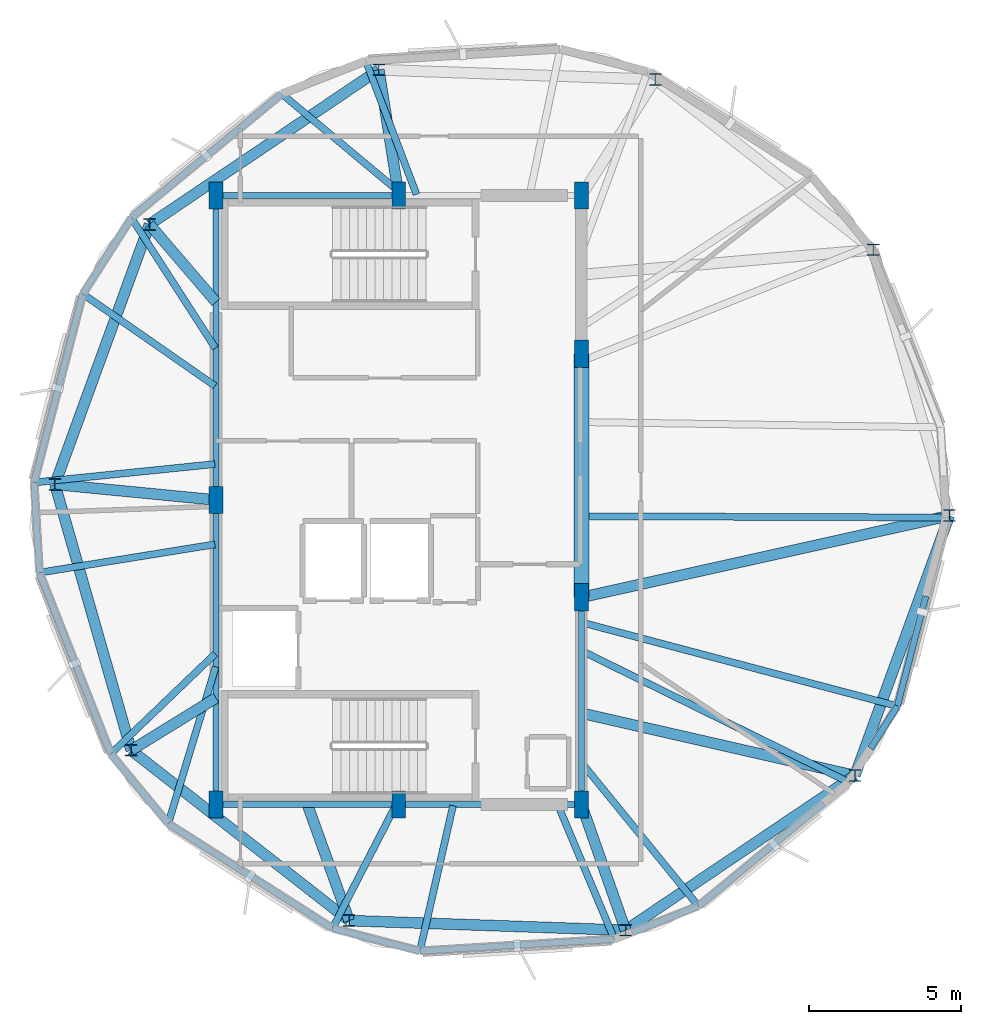
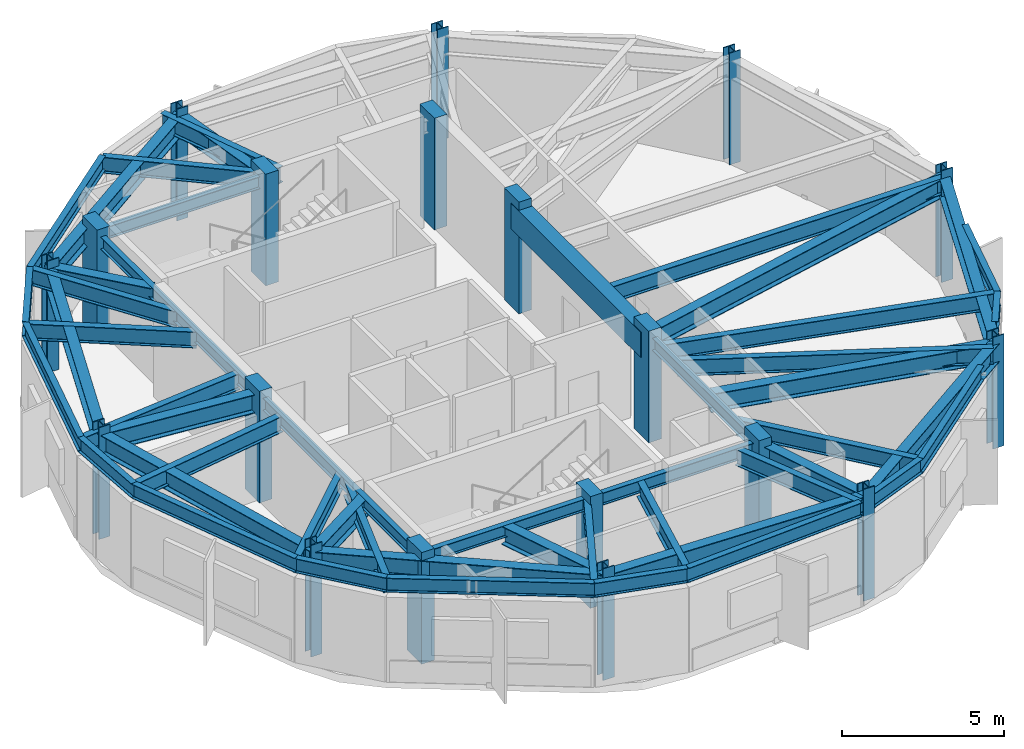
# One storey, part 1 of 6: 50 beams, 19 columns.
"""IFC4 building model written with IfcOpenShell, lengths in metres."""

import ifcopenshell
import ifcopenshell.guid

model = None  # the IFC model being written
_history = None  # IfcOwnerHistory: only IFC2X3 demands one
_inside = {}  # id of a spatial element -> (the spatial element, [elements in it])
_under = {}  # id of a project, library or spatial element -> (it, [spatial elements below it])
_declared = {}  # id of a project -> (the project, [libraries it declares])
_typed = {}  # id of a type object -> (the type object, [elements of that type])
_made_of = {}  # id of a material, layer set ... -> (it, [elements and type objects made of it])


def new_model(schema):
    """Start an empty IFC model of exactly this schema.

    Asked for "IFC4X3", IfcOpenShell would pick the latest addendum, in which some entities
    have other attributes; the version numbers below select the first issue.
    IFC2X3 requires an IfcOwnerHistory on every rooted entity: one is made here for all.
    """
    global model, _history
    if schema == "IFC4X3":
        model = ifcopenshell.file(schema_version=(4, 3, 0, 0))
    else:
        model = ifcopenshell.file(schema=schema)
    _inside.clear()
    _under.clear()
    _declared.clear()
    _typed.clear()
    _made_of.clear()
    _history = None
    if model.schema == "IFC2X3":
        org = make("IfcOrganization", Name="unknown")
        user = make(
            "IfcPersonAndOrganization",
            ThePerson=make("IfcPerson", FamilyName="unknown"),
            TheOrganization=org,
        )
        app = make(
            "IfcApplication",
            ApplicationDeveloper=org,
            Version="unknown",
            ApplicationFullName="unknown",
            ApplicationIdentifier="unknown",
        )
        _history = make(
            "IfcOwnerHistory",
            OwningUser=user,
            OwningApplication=app,
            ChangeAction="ADDED",
            CreationDate=0,
        )
    return model


def make(cls, **values):
    """One entity of the class cls with the attributes given. An attribute that is None is left unset."""
    return model.create_entity(
        cls, **{name: value for name, value in values.items() if value is not None}
    )


def rooted(cls, **values):
    """An entity with a GlobalId (a new one), such as an element, a storey or a relation."""
    return make(cls, GlobalId=ifcopenshell.guid.new(), OwnerHistory=_history, **values)


def si_unit(unit_type, name, prefix=None):
    """IfcSIUnit, for example si_unit("LENGTHUNIT", "METRE", prefix="MILLI")."""
    return make("IfcSIUnit", UnitType=unit_type, Prefix=prefix, Name=name)


def assignment(units):
    """IfcUnitAssignment: the units of a project."""
    return None if units is None else make("IfcUnitAssignment", Units=units)


def point(xyz):
    """IfcCartesianPoint."""
    return None if xyz is None else make("IfcCartesianPoint", Coordinates=xyz)


def direction(xyz):
    """IfcDirection."""
    return None if xyz is None else make("IfcDirection", DirectionRatios=xyz)


def frame(location, z_axis=None, x_axis=None):
    """IfcAxis2Placement3D, a coordinate frame: its origin and axes. An axis left out is left unset."""
    return make(
        "IfcAxis2Placement3D",
        Location=point(location),
        Axis=direction(z_axis),
        RefDirection=direction(x_axis),
    )


def frame_2d(location, x_axis=None):
    """IfcAxis2Placement2D, a coordinate frame in the plane: its origin and x axis."""
    return make(
        "IfcAxis2Placement2D", Location=point(location), RefDirection=direction(x_axis)
    )


def origin():
    """The frame at (0, 0, 0) with its axes left unset."""
    return frame((0.0, 0.0, 0.0))


def origin_2d():
    """The frame at (0, 0) in the plane with its x axis left unset."""
    return frame_2d((0.0, 0.0))


def place(relative_to, where):
    """IfcLocalPlacement: puts the frame where relative to a parent placement (None: the world)."""
    return make(
        "IfcLocalPlacement", PlacementRelTo=relative_to, RelativePlacement=where
    )


def context(
    kind, dimensions, precision=None, world=None, true_north=None, identifier=None
):
    """IfcGeometricRepresentationContext, for example the 3D "Model" context."""
    return make(
        "IfcGeometricRepresentationContext",
        ContextIdentifier=identifier,
        ContextType=kind,
        CoordinateSpaceDimension=dimensions,
        Precision=precision,
        WorldCoordinateSystem=world,
        TrueNorth=true_north,
    )


def subcontext(parent, identifier, kind, view, scale=None):
    """IfcGeometricRepresentationSubContext, for example "Body" below "Model"."""
    return make(
        "IfcGeometricRepresentationSubContext",
        ContextIdentifier=identifier,
        ContextType=kind,
        ParentContext=parent,
        TargetScale=scale,
        TargetView=view,
    )


def project(units=None, contexts=None):
    """IfcProject with its units and contexts."""
    return rooted(
        "IfcProject",
        Name="project",
        RepresentationContexts=contexts,
        UnitsInContext=assignment(units),
    )


def spatial(cls, under=None, at=None, **own):
    """A site, building, storey or space (cls), placed at a placement, below another one or the project."""
    s = rooted(cls, ObjectPlacement=at, **own)
    if under is not None:
        _under.setdefault(under.id(), (under, []))[1].append(s)
    return s


def profile(cls, at=None, kind="AREA", **sizes):
    """A parametric profile (cls). Its sizes go by their IFC names, for example OverallWidth=200.0."""
    return make(cls, ProfileType=kind, Position=at, **sizes)


def rectangle(**sizes):
    """IfcRectangleProfileDef."""
    return profile("IfcRectangleProfileDef", **sizes)


def i_section(**sizes):
    """IfcIShapeProfileDef."""
    return profile("IfcIShapeProfileDef", **sizes)


def extrude(swept, where, along, depth):
    """IfcExtrudedAreaSolid: the profile swept, set in the frame where, extruded along a direction by depth."""
    return make(
        "IfcExtrudedAreaSolid",
        SweptArea=swept,
        Position=where,
        ExtrudedDirection=direction(along),
        Depth=depth,
    )


def shape(context_of_items, identifier, shape_type, items):
    """IfcShapeRepresentation: the items that make up one representation, for example the "Body"."""
    return make(
        "IfcShapeRepresentation",
        ContextOfItems=context_of_items,
        RepresentationIdentifier=identifier,
        RepresentationType=shape_type,
        Items=items,
    )


def material(Name=None, Category=None):
    """IfcMaterial."""
    return make("IfcMaterial", Name=Name, Category=Category)


def material_profile(
    of_material, cross_section, Name=None, Category=None, Priority=None
):
    """IfcMaterialProfile: a cross section and its material."""
    return make(
        "IfcMaterialProfile",
        Name=Name,
        Material=of_material,
        Profile=cross_section,
        Priority=Priority,
        Category=Category,
    )


def profile_set(profiles, Name=None, composite=None):
    """IfcMaterialProfileSet."""
    return make(
        "IfcMaterialProfileSet",
        Name=Name,
        MaterialProfiles=profiles,
        CompositeProfile=composite,
    )


def made_of(thing, what):
    """Note that an element or type object is made of a material, layer set ...; save() writes the relation."""
    if what is not None:
        _made_of.setdefault(what.id(), (what, []))[1].append(thing)
    return thing


def type_object(cls, material=None, **own):
    """A type object (cls), such as IfcWallType, which elements share."""
    return made_of(rooted(cls, **own), material)


def element(
    cls,
    number,
    at=None,
    inside=None,
    cuts=None,
    type_object=None,
    material=None,
    context=None,
    identifier="Body",
    shape_type=None,
    held_by="IfcProductDefinitionShape",
    body=None,
    shapes=None,
    **own,
):
    """One element of the class cls, such as IfcWall. Its Tag is "e" and its number.

    at: its placement. inside: the storey or other place that contains it. cuts: it is an
    opening in that element (IfcRelVoidsElement). A single representation is given by context,
    identifier, shape_type and body (its items); several are given by shapes. held_by: the class
    of the entity that holds the representations. save() writes the other relations.
    """
    e = rooted(cls, Tag="e%d" % number, ObjectPlacement=at, **own)
    if body is not None:
        shapes = [shape(context, identifier, shape_type, body)]
    if shapes is not None:
        e.Representation = make(held_by, Representations=shapes)
    if inside is not None:
        _inside.setdefault(inside.id(), (inside, []))[1].append(e)
    if cuts is not None:
        rooted(
            "IfcRelVoidsElement", RelatingBuildingElement=cuts, RelatedOpeningElement=e
        )
    if type_object is not None:
        _typed.setdefault(type_object.id(), (type_object, []))[1].append(e)
    return made_of(e, material)


def aggregate(whole, parts):
    """IfcRelAggregates: a whole, such as a stair, and the parts it consists of."""
    return rooted("IfcRelAggregates", RelatingObject=whole, RelatedObjects=parts)


def save(model, path):
    """Write the relations noted so far, then the file.

    IfcRelAggregates (storeys below a building ...), IfcRelContainedInSpatialStructure (elements
    in a storey), IfcRelDefinesByType, IfcRelAssociatesMaterial and IfcRelDeclares: one each for
    every whole, place, type object, material and project.
    """
    for whole, parts in _under.values():
        aggregate(whole, parts)
    for where, things in _inside.values():
        rooted(
            "IfcRelContainedInSpatialStructure",
            RelatedElements=things,
            RelatingStructure=where,
        )
    for kind, things in _typed.values():
        rooted("IfcRelDefinesByType", RelatedObjects=things, RelatingType=kind)
    for what, things in _made_of.values():
        rooted("IfcRelAssociatesMaterial", RelatedObjects=things, RelatingMaterial=what)
    for by, libraries in _declared.values():
        rooted("IfcRelDeclares", RelatingContext=by, RelatedDefinitions=libraries)
    model.write(path)


model = new_model("IFC4")

# Units and contexts
model_context = context("Model", 3, precision=1e-05, world=origin(), true_north=direction((0.0, 1.0)))
body_context = subcontext(model_context, "Body", "Model", "MODEL_VIEW")
ifc_project = project(units=[si_unit("LENGTHUNIT", "METRE"), si_unit("AREAUNIT", "SQUARE_METRE"), si_unit("VOLUMEUNIT", "CUBIC_METRE"), si_unit("PLANEANGLEUNIT", "RADIAN"), si_unit("MASSUNIT", "GRAM", prefix="KILO")], contexts=[model_context])

# Site, building, storey
site_placement = place(None, origin())
site = spatial("IfcSite", under=ifc_project, at=site_placement, CompositionType="ELEMENT")
building_placement = place(site_placement, origin())
building = spatial("IfcBuilding", under=site, at=building_placement, Name="Soratama Intermodal Tower", CompositionType="ELEMENT")
storey_placement = place(building_placement, frame((0.0, 0.0, 314.050048828125)))
storey = spatial("IfcBuildingStorey", under=building, at=storey_placement, Name="L79", CompositionType="ELEMENT", Elevation=314.050048828125)

# Columns
ifc_material_1 = material(Name="Structural steel ASTM A992 Grade 50", Category="steel")
ifc_material_profile_1 = material_profile(ifc_material_1, i_section(OverallWidth=0.39794921875, OverallDepth=0.386962890625, WebThickness=0.02099609375, FlangeThickness=0.033203125, FilletRadius=0.0380859375, at=origin_2d()), Name="W14X176")
ifc_profile_set_1 = profile_set([ifc_material_profile_1], Name="Structural steel ASTM A992 Grade 50")
column_type_1 = type_object("IfcColumnType", Name="COL-ZF-W14X176", PredefinedType="COLUMN", material=ifc_profile_set_1)
for number, where, z_axis, x_axis, name in (
    (1, (54.18701171875, 33.22021484375, 0.0), (0.0, 0.0, 1.0), (1.0, 0.0, 0.0), "L79 Tower Ring Column R01"),
    (2, (47.027587890625, 38.8134765625, 0.0), (0.0, 0.0, 1.0), (1.0, 0.0, 0.0), "L79 Tower Ring Column R02"),
    (3, (37.947998046875, 39.130615234375, 0.0), (0.0, 0.0, 1.0), (1.0, 0.0, 0.0), "L79 Tower Ring Column R03"),
    (4, (30.416259765625, 34.05029296875, 0.0), (0.0, 0.0, 1.0), (1.0, 0.0, 0.0), "L79 Tower Ring Column R04"),
    (5, (27.30908203125, 25.512939453125, 0.0), (0.0, 0.0, 1.0), (1.0, 0.0, 0.0), "L79 Tower Ring Column R05"),
    (6, (29.81298828125, 16.77978515625, 0.0), (0.0, 0.0, 1.0), (1.0, 0.0, 0.0), "L79 Tower Ring Column R06"),
    (7, (36.972412109375, 11.1865234375, 0.0), (0.0, 0.0, 1.0), (1.0, 0.0, 0.0), "L79 Tower Ring Column R07"),
    (8, (46.052001953125, 10.869384765625, 0.0), (0.0, 0.0, 1.0), (1.0, 0.0, 0.0), "L79 Tower Ring Column R08"),
    (9, (53.583740234375, 15.94970703125, 0.0), (0.0, 0.0, 1.0), (1.0, 0.0, 0.0), "L79 Tower Ring Column R09"),
    (10, (56.69091796875, 24.487060546875, 0.0), (0.0, 0.0, 1.0), (1.0, 0.0, 0.0), "L79 Tower Ring Column R10"),
):
    element("IfcColumn", number, at=place(storey_placement, frame(where, z_axis=z_axis, x_axis=x_axis)), inside=storey, type_object=column_type_1, Name=name, PredefinedType="COLUMN", context=body_context, shape_type="SweptSolid", body=[
        extrude(i_section(OverallWidth=0.39794921875, OverallDepth=0.386962890625, WebThickness=0.02099609375, FlangeThickness=0.033203125, FilletRadius=0.0380859375, at=origin_2d()), origin(), (0.0, 0.0, 1.0), 4.199951171875),
    ])
ifc_material_2 = material(Name="Concrete f'c 56 MPa", Category="concrete")
ifc_material_profile_2 = material_profile(ifc_material_2, rectangle(XDim=0.449951171875, YDim=0.89990234375, at=origin_2d()), Name="RC450X900")
ifc_profile_set_2 = profile_set([ifc_material_profile_2], Name="Concrete f'c 56 MPa")
column_type_2 = type_object("IfcColumnType", Name="PIL-CORE-450X900", PredefinedType="PILASTER", material=ifc_profile_set_2)
for number, where, z_axis, x_axis, name in (
    (11, (32.60009765625, 15.0, 0.0), (0.0, 0.0, 1.0), (1.0, 0.0, 0.0), "L79 Core Pilaster 1"),
    (12, (32.60009765625, 25.0, 0.0), (0.0, 0.0, 1.0), (1.0, 0.0, 0.0), "L79 Core Pilaster 2"),
    (13, (32.60009765625, 35.0, 0.0), (0.0, 0.0, 1.0), (1.0, 0.0, 0.0), "L79 Core Pilaster 3"),
    (14, (38.60009765625, 15.0, 0.0), (0.0, 0.0, 1.0), (1.0, 0.0, 0.0), "L79 Core Pilaster 4"),
    (15, (38.60009765625, 35.0, 0.0), (0.0, 0.0, 1.0), (1.0, 0.0, 0.0), "L79 Core Pilaster 5"),
    (16, (44.60009765625, 15.0, 0.0), (0.0, 0.0, 1.0), (1.0, 0.0, 0.0), "L79 Core Pilaster 6"),
    (17, (44.60009765625, 21.800048828125, 0.0), (0.0, 0.0, 1.0), (1.0, 0.0, 0.0), "L79 Core Pilaster 7"),
    (18, (44.60009765625, 29.800048828125, 0.0), (0.0, 0.0, 1.0), (1.0, 0.0, 0.0), "L79 Core Pilaster 8"),
    (19, (44.60009765625, 35.0, 0.0), (0.0, 0.0, 1.0), (1.0, 0.0, 0.0), "L79 Core Pilaster 9"),
):
    element("IfcColumn", number, at=place(storey_placement, frame(where, z_axis=z_axis, x_axis=x_axis)), inside=storey, type_object=column_type_2, Name=name, PredefinedType="PILASTER", context=body_context, shape_type="SweptSolid", body=[
        extrude(rectangle(XDim=0.449951171875, YDim=0.89990234375, at=origin_2d()), origin(), (0.0, 0.0, 1.0), 4.199951171875),
    ])

# Beams
ifc_material_3 = material(Name="Concrete f'c 56 MPa", Category="concrete")
ifc_material_profile_3 = material_profile(ifc_material_3, rectangle(XDim=0.5, YDim=0.949951171875, at=origin_2d()), Name="RC500X950")
ifc_profile_set_3 = profile_set([ifc_material_profile_3], Name="Concrete f'c 56 MPa")
beam_type_1 = type_object("IfcBeamType", Name="BM-CPL-RC500X950", PredefinedType="BEAM", material=ifc_profile_set_3)
beam_1_placement = place(storey_placement, frame((44.60009765625, 21.800048828125, 3.419921875), z_axis=(0.0, 1.0, 0.0), x_axis=(-1.0, 0.0, 0.0)))
element("IfcBeam", 20, at=beam_1_placement, inside=storey, type_object=beam_type_1, Name="L79 Core Coupling Beam East", PredefinedType="BEAM", context=body_context, shape_type="SweptSolid", body=[
    extrude(rectangle(XDim=0.5, YDim=0.949951171875, at=origin_2d()), origin(), (0.0, 0.0, 1.0), 8.0),
])
ifc_material_4 = material(Name="Structural steel ASTM A992 Grade 50", Category="steel")
ifc_material_profile_4 = material_profile(ifc_material_4, i_section(OverallWidth=0.19091796875, OverallDepth=0.4599609375, WebThickness=0.010009765625, FlangeThickness=0.01611328125, FilletRadius=0.010986328125, at=origin_2d()), Name="W18X55")
ifc_profile_set_4 = profile_set([ifc_material_profile_4], Name="Structural steel ASTM A992 Grade 50")
beam_type_2 = type_object("IfcBeamType", Name="BM-FLR-W18X55", PredefinedType="BEAM", material=ifc_profile_set_4)
for number, where, z_axis, x_axis, name in (
    (21, (32.60009765625, 15.0, 3.6650390625), (1.0, 0.0, 0.0), (0.0, 1.0, 0.0), "BM-L79-CRING-01"),
    (22, (38.60009765625, 15.0, 3.6650390625), (1.0, 0.0, 0.0), (0.0, 1.0, 0.0), "BM-L79-CRING-02"),
):
    element("IfcBeam", number, at=place(storey_placement, frame(where, z_axis=z_axis, x_axis=x_axis)), inside=storey, type_object=beam_type_2, Name=name, PredefinedType="BEAM", context=body_context, shape_type="SweptSolid", body=[
        extrude(i_section(OverallWidth=0.19091796875, OverallDepth=0.4599609375, WebThickness=0.010009765625, FlangeThickness=0.01611328125, FilletRadius=0.010986328125, at=origin_2d()), origin(), (0.0, 0.0, 1.0), 6.0),
    ])
beam_2_placement = place(storey_placement, frame((44.60009765625, 15.0, 3.6650390625), z_axis=(0.0, 1.0, 0.0), x_axis=(-1.0, 0.0, 0.0)))
element("IfcBeam", 23, at=beam_2_placement, inside=storey, type_object=beam_type_2, Name="BM-L79-CRING-03", PredefinedType="BEAM", context=body_context, shape_type="SweptSolid", body=[
    extrude(i_section(OverallWidth=0.19091796875, OverallDepth=0.4599609375, WebThickness=0.010009765625, FlangeThickness=0.01611328125, FilletRadius=0.010986328125, at=origin_2d()), origin(), (0.0, 0.0, 1.0), 6.800048828125),
])
beam_3_placement = place(storey_placement, frame((38.60009765625, 35.0, 3.6650390625), z_axis=(-1.0, 0.0, 0.0), x_axis=(0.0, -1.0, 0.0)))
element("IfcBeam", 24, at=beam_3_placement, inside=storey, type_object=beam_type_2, Name="BM-L79-CRING-07", PredefinedType="BEAM", context=body_context, shape_type="SweptSolid", body=[
    extrude(i_section(OverallWidth=0.19091796875, OverallDepth=0.4599609375, WebThickness=0.010009765625, FlangeThickness=0.01611328125, FilletRadius=0.010986328125, at=origin_2d()), origin(), (0.0, 0.0, 1.0), 6.0),
])
for number, where, z_axis, x_axis, name in (
    (25, (32.60009765625, 35.0, 3.6650390625), (0.0, -1.0, 0.0), (1.0, 0.0, 0.0), "BM-L79-CRING-08"),
    (26, (32.60009765625, 25.0, 3.6650390625), (0.0, -1.0, 0.0), (1.0, 0.0, 0.0), "BM-L79-CRING-09"),
):
    element("IfcBeam", number, at=place(storey_placement, frame(where, z_axis=z_axis, x_axis=x_axis)), inside=storey, type_object=beam_type_2, Name=name, PredefinedType="BEAM", context=body_context, shape_type="SweptSolid", body=[
        extrude(i_section(OverallWidth=0.19091796875, OverallDepth=0.4599609375, WebThickness=0.010009765625, FlangeThickness=0.01611328125, FilletRadius=0.010986328125, at=origin_2d()), origin(), (0.0, 0.0, 1.0), 10.0),
    ])
ifc_material_5 = material(Name="Structural steel ASTM A992 Grade 50", Category="steel")
ifc_material_profile_5 = material_profile(ifc_material_5, i_section(OverallWidth=0.35498046875, OverallDepth=0.695068359375, WebThickness=0.015380859375, FlangeThickness=0.02490234375, FilletRadius=0.01611328125, at=origin_2d()), Name="W27X146")
ifc_profile_set_5 = profile_set([ifc_material_profile_5], Name="Structural steel ASTM A992 Grade 50")
beam_type_3 = type_object("IfcBeamType", Name="BM-RING-W27X146", PredefinedType="BEAM", material=ifc_profile_set_5)
for number, where, z_axis, x_axis, name in (
    (27, (37.947998046875, 39.1298828125, 3.54736328125), (-0.829065755123, -0.559151118824, 0.0), (0.559151118824, -0.829065755123, 0.0), "BM-L79-RING-03"),
    (28, (30.416015625, 34.050048828125, 3.54736328125), (-0.341989029925, -0.939703944555, 0.0), (0.939703944555, -0.341989029925, 0.0), "BM-L79-RING-04"),
):
    element("IfcBeam", number, at=place(storey_placement, frame(where, z_axis=z_axis, x_axis=x_axis)), inside=storey, type_object=beam_type_3, Name=name, PredefinedType="BEAM", context=body_context, shape_type="SweptSolid", body=[
        extrude(i_section(OverallWidth=0.35498046875, OverallDepth=0.695068359375, WebThickness=0.015380859375, FlangeThickness=0.02490234375, FilletRadius=0.01611328125, at=origin_2d()), origin(), (0.0, 0.0, 1.0), 9.0849609375),
    ])
for number, where, z_axis, x_axis, name in (
    (29, (27.30908203125, 25.512939453125, 3.54736328125), (0.275615442928, -0.961267979088, 0.0), (0.961267979088, 0.275615442928, 0.0), "BM-L79-RING-05"),
    (30, (29.81298828125, 16.780029296875, 3.54736328125), (0.78801907717, -0.615650821502, 0.0), (0.615650821502, 0.78801907717, 0.0), "BM-L79-RING-06"),
):
    element("IfcBeam", number, at=place(storey_placement, frame(where, z_axis=z_axis, x_axis=x_axis)), inside=storey, type_object=beam_type_3, Name=name, PredefinedType="BEAM", context=body_context, shape_type="SweptSolid", body=[
        extrude(i_section(OverallWidth=0.35498046875, OverallDepth=0.695068359375, WebThickness=0.015380859375, FlangeThickness=0.02490234375, FilletRadius=0.01611328125, at=origin_2d()), origin(), (0.0, 0.0, 1.0), 9.084716796875),
    ])
beam_4_placement = place(storey_placement, frame((36.971923828125, 11.18701171875, 3.54736328125), z_axis=(0.999391551516, -0.034878743651, 0.0), x_axis=(0.034878743651, 0.999391551516, 0.0)))
element("IfcBeam", 31, at=beam_4_placement, inside=storey, type_object=beam_type_3, Name="BM-L79-RING-07", PredefinedType="BEAM", context=body_context, shape_type="SweptSolid", body=[
    extrude(i_section(OverallWidth=0.35498046875, OverallDepth=0.695068359375, WebThickness=0.015380859375, FlangeThickness=0.02490234375, FilletRadius=0.01611328125, at=origin_2d()), origin(), (0.0, 0.0, 1.0), 9.085693359375),
])
for number, where, z_axis, x_axis, name in (
    (32, (46.052001953125, 10.8701171875, 3.54736328125), (0.829065755123, 0.559151118824, 0.0), (-0.559151118824, 0.829065755123, 0.0), "BM-L79-RING-08"),
    (33, (53.583984375, 15.949951171875, 3.54736328125), (0.341989029925, 0.939703944555, 0.0), (-0.939703944555, 0.341989029925, 0.0), "BM-L79-RING-09"),
):
    element("IfcBeam", number, at=place(storey_placement, frame(where, z_axis=z_axis, x_axis=x_axis)), inside=storey, type_object=beam_type_3, Name=name, PredefinedType="BEAM", context=body_context, shape_type="SweptSolid", body=[
        extrude(i_section(OverallWidth=0.35498046875, OverallDepth=0.695068359375, WebThickness=0.015380859375, FlangeThickness=0.02490234375, FilletRadius=0.01611328125, at=origin_2d()), origin(), (0.0, 0.0, 1.0), 9.0849609375),
    ])
beam_5_placement = place(storey_placement, frame((38.60009765625, 35.0, 3.54736328125), z_axis=(-0.155965571991, 0.987762491874, 0.0), x_axis=(-0.987762491874, -0.155965571991, 0.0)))
element("IfcBeam", 34, at=beam_5_placement, inside=storey, type_object=beam_type_3, Name="BM-L79-RAD-03", PredefinedType="BEAM", context=body_context, shape_type="SweptSolid", body=[
    extrude(i_section(OverallWidth=0.35498046875, OverallDepth=0.695068359375, WebThickness=0.015380859375, FlangeThickness=0.02490234375, FilletRadius=0.01611328125, at=origin_2d()), origin(), (0.0, 0.0, 1.0), 4.18115234375),
])
beam_6_placement = place(storey_placement, frame((32.60009765625, 31.5, 3.54736328125), z_axis=(-0.650503890691, 0.759502921782, 0.0), x_axis=(-0.759502921782, -0.650503890691, 0.0)))
element("IfcBeam", 35, at=beam_6_placement, inside=storey, type_object=beam_type_3, Name="BM-L79-RAD-04", PredefinedType="BEAM", context=body_context, shape_type="SweptSolid", body=[
    extrude(i_section(OverallWidth=0.35498046875, OverallDepth=0.695068359375, WebThickness=0.015380859375, FlangeThickness=0.02490234375, FilletRadius=0.01611328125, at=origin_2d()), origin(), (0.0, 0.0, 1.0), 3.357421875),
])
beam_7_placement = place(storey_placement, frame((32.60009765625, 25.0, 3.54736328125), z_axis=(-0.995333664321, 0.096492987668, 0.0), x_axis=(-0.096492987668, -0.995333664321, 0.0)))
element("IfcBeam", 36, at=beam_7_placement, inside=storey, type_object=beam_type_3, Name="BM-L79-RAD-05", PredefinedType="BEAM", context=body_context, shape_type="SweptSolid", body=[
    extrude(i_section(OverallWidth=0.35498046875, OverallDepth=0.695068359375, WebThickness=0.015380859375, FlangeThickness=0.02490234375, FilletRadius=0.01611328125, at=origin_2d()), origin(), (0.0, 0.0, 1.0), 5.31591796875),
])
beam_8_placement = place(storey_placement, frame((32.60009765625, 18.5, 3.54736328125), z_axis=(-0.850999862817, -0.525165910437, 0.0), x_axis=(0.525165910437, -0.850999862817, 0.0)))
element("IfcBeam", 37, at=beam_8_placement, inside=storey, type_object=beam_type_3, Name="BM-L79-RAD-06", PredefinedType="BEAM", context=body_context, shape_type="SweptSolid", body=[
    extrude(i_section(OverallWidth=0.35498046875, OverallDepth=0.695068359375, WebThickness=0.015380859375, FlangeThickness=0.02490234375, FilletRadius=0.01611328125, at=origin_2d()), origin(), (0.0, 0.0, 1.0), 3.275146484375),
])
beam_9_placement = place(storey_placement, frame((35.60009765625, 15.0, 3.54736328125), z_axis=(0.33853385328, -0.940954212586, 0.0), x_axis=(0.940954212586, 0.33853385328, 0.0)))
element("IfcBeam", 38, at=beam_9_placement, inside=storey, type_object=beam_type_3, Name="BM-L79-RAD-07", PredefinedType="BEAM", context=body_context, shape_type="SweptSolid", body=[
    extrude(i_section(OverallWidth=0.35498046875, OverallDepth=0.695068359375, WebThickness=0.015380859375, FlangeThickness=0.02490234375, FilletRadius=0.01611328125, at=origin_2d()), origin(), (0.0, 0.0, 1.0), 4.05224609375),
])
beam_10_placement = place(storey_placement, frame((44.60009765625, 15.0, 3.54736328125), z_axis=(0.331661746867, -0.943398370608, 0.0), x_axis=(0.943398370608, 0.331661746867, 0.0)))
element("IfcBeam", 39, at=beam_10_placement, inside=storey, type_object=beam_type_3, Name="BM-L79-RAD-08", PredefinedType="BEAM", context=body_context, shape_type="SweptSolid", body=[
    extrude(i_section(OverallWidth=0.35498046875, OverallDepth=0.695068359375, WebThickness=0.015380859375, FlangeThickness=0.02490234375, FilletRadius=0.01611328125, at=origin_2d()), origin(), (0.0, 0.0, 1.0), 4.377685546875),
])
beam_11_placement = place(storey_placement, frame((44.60009765625, 18.0, 3.54736328125), z_axis=(0.974938851068, -0.222473002131, 0.0), x_axis=(0.222473002131, 0.974938851068, 0.0)))
element("IfcBeam", 40, at=beam_11_placement, inside=storey, type_object=beam_type_3, Name="BM-L79-RAD-09", PredefinedType="BEAM", context=body_context, shape_type="SweptSolid", body=[
    extrude(i_section(OverallWidth=0.35498046875, OverallDepth=0.695068359375, WebThickness=0.015380859375, FlangeThickness=0.02490234375, FilletRadius=0.01611328125, at=origin_2d()), origin(), (0.0, 0.0, 1.0), 9.21484375),
])
beam_12_placement = place(storey_placement, frame((44.60009765625, 21.800048828125, 3.54736328125), z_axis=(0.976184277327, 0.216942980298, 0.0), x_axis=(-0.216942980298, 0.976184277327, 0.0)))
element("IfcBeam", 41, at=beam_12_placement, inside=storey, type_object=beam_type_3, Name="BM-L79-RAD-10", PredefinedType="BEAM", context=body_context, shape_type="SweptSolid", body=[
    extrude(i_section(OverallWidth=0.35498046875, OverallDepth=0.695068359375, WebThickness=0.015380859375, FlangeThickness=0.02490234375, FilletRadius=0.01611328125, at=origin_2d()), origin(), (0.0, 0.0, 1.0), 12.3857421875),
])
ifc_material_6 = material(Name="Structural steel ASTM A992 Grade 50", Category="steel")
ifc_material_profile_6 = material_profile(ifc_material_6, i_section(OverallWidth=0.2099609375, OverallDepth=0.537109375, WebThickness=0.010986328125, FlangeThickness=0.017333984375, FilletRadius=0.012939453125, at=origin_2d()), Name="W21X68")
ifc_profile_set_6 = profile_set([ifc_material_profile_6], Name="Structural steel ASTM A992 Grade 50")
beam_type_4 = type_object("IfcBeamType", Name="BM-SPN-W21X68", PredefinedType="SPANDREL", material=ifc_profile_set_6)
beam_13_placement = place(storey_placement, frame((34.757080078125, 38.339111328125, 3.62646484375), z_axis=(-0.771874062266, -0.635775457219, 0.0), x_axis=(0.635775457219, -0.771874062266, 0.0)))
element("IfcBeam", 42, at=beam_13_placement, inside=storey, type_object=beam_type_4, Name="BS-L79-F02", PredefinedType="SPANDREL", context=body_context, shape_type="SweptSolid", body=[
    extrude(i_section(OverallWidth=0.2099609375, OverallDepth=0.537109375, WebThickness=0.010986328125, FlangeThickness=0.017333984375, FilletRadius=0.012939453125, at=origin_2d()), origin(), (0.0, 0.0, 1.0), 6.398681640625),
])
beam_14_placement = place(storey_placement, frame((29.818115234375, 34.27099609375, 3.62646484375), z_axis=(-0.537317402056, -0.843380109706, 0.0), x_axis=(0.843380109706, -0.537317402056, 0.0)))
element("IfcBeam", 43, at=beam_14_placement, inside=storey, type_object=beam_type_4, Name="BS-L79-CRN02", PredefinedType="SPANDREL", context=body_context, shape_type="SweptSolid", body=[
    extrude(i_section(OverallWidth=0.2099609375, OverallDepth=0.537109375, WebThickness=0.010986328125, FlangeThickness=0.017333984375, FilletRadius=0.012939453125, at=origin_2d()), origin(), (0.0, 0.0, 1.0), 2.966552734375),
])
beam_15_placement = place(storey_placement, frame((28.22412109375, 31.76904296875, 3.62646484375), z_axis=(-0.250866819985, -0.968021610622, 0.0), x_axis=(0.968021610622, -0.250866819985, 0.0)))
element("IfcBeam", 44, at=beam_15_placement, inside=storey, type_object=beam_type_4, Name="BS-L79-F03", PredefinedType="SPANDREL", context=body_context, shape_type="SweptSolid", body=[
    extrude(i_section(OverallWidth=0.2099609375, OverallDepth=0.537109375, WebThickness=0.010986328125, FlangeThickness=0.017333984375, FilletRadius=0.012939453125, at=origin_2d()), origin(), (0.0, 0.0, 1.0), 6.398681640625),
])
beam_16_placement = place(storey_placement, frame((26.618896484375, 25.574951171875, 3.62646484375), z_axis=(0.060738574932, -0.998153708361, 0.0), x_axis=(0.998153708361, 0.060738574932, 0.0)))
element("IfcBeam", 45, at=beam_16_placement, inside=storey, type_object=beam_type_4, Name="BS-L79-CRN03", PredefinedType="SPANDREL", context=body_context, shape_type="SweptSolid", body=[
    extrude(i_section(OverallWidth=0.2099609375, OverallDepth=0.537109375, WebThickness=0.010986328125, FlangeThickness=0.017333984375, FilletRadius=0.012939453125, at=origin_2d()), origin(), (0.0, 0.0, 1.0), 2.96630859375),
])
beam_17_placement = place(storey_placement, frame((26.799072265625, 22.614013671875, 3.62646484375), z_axis=(0.366181182251, -0.930543573276, 0.0), x_axis=(0.930543573276, 0.366181182251, 0.0)))
element("IfcBeam", 46, at=beam_17_placement, inside=storey, type_object=beam_type_4, Name="BS-L79-F04", PredefinedType="SPANDREL", context=body_context, shape_type="SweptSolid", body=[
    extrude(i_section(OverallWidth=0.2099609375, OverallDepth=0.537109375, WebThickness=0.010986328125, FlangeThickness=0.017333984375, FilletRadius=0.012939453125, at=origin_2d()), origin(), (0.0, 0.0, 1.0), 6.3984375),
])
beam_18_placement = place(storey_placement, frame((29.14208984375, 16.659912109375, 3.62646484375), z_axis=(0.635958137184, -0.77172355656, 0.0), x_axis=(0.77172355656, 0.635958137184, 0.0)))
element("IfcBeam", 47, at=beam_18_placement, inside=storey, type_object=beam_type_4, Name="BS-L79-CRN04", PredefinedType="SPANDREL", context=body_context, shape_type="SweptSolid", body=[
    extrude(i_section(OverallWidth=0.2099609375, OverallDepth=0.537109375, WebThickness=0.010986328125, FlangeThickness=0.017333984375, FilletRadius=0.012939453125, at=origin_2d()), origin(), (0.0, 0.0, 1.0), 2.967041015625),
])
beam_19_placement = place(storey_placement, frame((31.029052734375, 14.3701171875, 3.62646484375), z_axis=(0.843166226486, -0.537652968478, 0.0), x_axis=(0.537652968478, 0.843166226486, 0.0)))
element("IfcBeam", 48, at=beam_19_placement, inside=storey, type_object=beam_type_4, Name="BS-L79-F05", PredefinedType="SPANDREL", context=body_context, shape_type="SweptSolid", body=[
    extrude(i_section(OverallWidth=0.2099609375, OverallDepth=0.537109375, WebThickness=0.010986328125, FlangeThickness=0.017333984375, FilletRadius=0.012939453125, at=origin_2d()), origin(), (0.0, 0.0, 1.0), 6.3984375),
])
beam_20_placement = place(storey_placement, frame((36.424072265625, 10.929931640625, 3.62646484375), z_axis=(0.96813005439, -0.250447994177, 0.0), x_axis=(0.250447994177, 0.96813005439, 0.0)))
element("IfcBeam", 49, at=beam_20_placement, inside=storey, type_object=beam_type_4, Name="BS-L79-CRN05", PredefinedType="SPANDREL", context=body_context, shape_type="SweptSolid", body=[
    extrude(i_section(OverallWidth=0.2099609375, OverallDepth=0.537109375, WebThickness=0.010986328125, FlangeThickness=0.017333984375, FilletRadius=0.012939453125, at=origin_2d()), origin(), (0.0, 0.0, 1.0), 2.96630859375),
])
beam_21_placement = place(storey_placement, frame((39.2958984375, 10.18701171875, 3.62646484375), z_axis=(0.998159897877, 0.060636773243, 0.0), x_axis=(-0.060636773243, 0.998159897877, 0.0)))
element("IfcBeam", 50, at=beam_21_placement, inside=storey, type_object=beam_type_4, Name="BS-L79-F06", PredefinedType="SPANDREL", context=body_context, shape_type="SweptSolid", body=[
    extrude(i_section(OverallWidth=0.2099609375, OverallDepth=0.537109375, WebThickness=0.010986328125, FlangeThickness=0.017333984375, FilletRadius=0.012939453125, at=origin_2d()), origin(), (0.0, 0.0, 1.0), 6.397705078125),
])
beam_22_placement = place(storey_placement, frame((46.260009765625, 10.802978515625, 3.62646484375), z_axis=(0.930713535373, 0.365748978226, 0.0), x_axis=(-0.365748978226, 0.930713535373, 0.0)))
element("IfcBeam", 51, at=beam_22_placement, inside=storey, type_object=beam_type_4, Name="BS-L79-CRN06", PredefinedType="SPANDREL", context=body_context, shape_type="SweptSolid", body=[
    extrude(i_section(OverallWidth=0.2099609375, OverallDepth=0.537109375, WebThickness=0.010986328125, FlangeThickness=0.017333984375, FilletRadius=0.012939453125, at=origin_2d()), origin(), (0.0, 0.0, 1.0), 2.345703125),
])
beam_23_placement = place(storey_placement, frame((48.443115234375, 11.660888671875, 3.62646484375), z_axis=(0.771911717669, 0.635729738273, 0.0), x_axis=(-0.635729738273, 0.771911717669, 0.0)))
element("IfcBeam", 52, at=beam_23_placement, inside=storey, type_object=beam_type_4, Name="BS-L79-F07", PredefinedType="SPANDREL", context=body_context, shape_type="SweptSolid", body=[
    extrude(i_section(OverallWidth=0.2099609375, OverallDepth=0.537109375, WebThickness=0.010986328125, FlangeThickness=0.017333984375, FilletRadius=0.012939453125, at=origin_2d()), origin(), (0.0, 0.0, 1.0), 5.328125),
])
beam_24_placement = place(storey_placement, frame((54.093994140625, 16.845947265625, 3.62646484375), z_axis=(0.537183312925, 0.843465522896, 0.0), x_axis=(-0.843465522896, 0.537183312925, 0.0)))
element("IfcBeam", 53, at=beam_24_placement, inside=storey, type_object=beam_type_4, Name="BS-L79-CRN07", PredefinedType="SPANDREL", context=body_context, shape_type="SweptSolid", body=[
    extrude(i_section(OverallWidth=0.2099609375, OverallDepth=0.537109375, WebThickness=0.010986328125, FlangeThickness=0.017333984375, FilletRadius=0.012939453125, at=origin_2d()), origin(), (0.0, 0.0, 1.0), 1.64208984375),
])
beam_25_placement = place(storey_placement, frame((54.97607421875, 18.23095703125, 3.62646484375), z_axis=(0.250739438138, 0.968054613213, 0.0), x_axis=(-0.968054613213, 0.250739438138, 0.0)))
element("IfcBeam", 54, at=beam_25_placement, inside=storey, type_object=beam_type_4, Name="BS-L79-F08", PredefinedType="SPANDREL", context=body_context, shape_type="SweptSolid", body=[
    extrude(i_section(OverallWidth=0.2099609375, OverallDepth=0.537109375, WebThickness=0.010986328125, FlangeThickness=0.017333984375, FilletRadius=0.012939453125, at=origin_2d()), origin(), (0.0, 0.0, 1.0), 3.728271484375),
])
ifc_material_7 = material(Name="Structural steel ASTM A992 Grade 50", Category="steel")
ifc_material_profile_7 = material_profile(ifc_material_7, i_section(OverallWidth=0.22900390625, OverallDepth=0.612060546875, WebThickness=0.011962890625, FlangeThickness=0.01953125, FilletRadius=0.012939453125, at=origin_2d()), Name="W24X84")
ifc_profile_set_7 = profile_set([ifc_material_profile_7], Name="Structural steel ASTM A992 Grade 50")
beam_type_5 = type_object("IfcBeamType", Name="BM-TIE-W24X84", PredefinedType="BEAM", material=ifc_profile_set_7)
beam_26_placement = place(storey_placement, frame((39.18408203125, 35.037109375, 3.5888671875), z_axis=(-0.354956848887, 0.934882685383, 0.0), x_axis=(-0.934882685383, -0.354956848887, 0.0)))
element("IfcBeam", 55, at=beam_26_placement, inside=storey, type_object=beam_type_5, Name="BM-L79-TIE1-01", PredefinedType="BEAM", context=body_context, shape_type="SweptSolid", body=[
    extrude(i_section(OverallWidth=0.22900390625, OverallDepth=0.612060546875, WebThickness=0.011962890625, FlangeThickness=0.01953125, FilletRadius=0.012939453125, at=origin_2d()), origin(), (0.0, 0.0, 1.0), 4.693603515625),
])
beam_27_placement = place(storey_placement, frame((38.72802734375, 35.02587890625, 3.5888671875), z_axis=(-0.767830320089, 0.640653260002, 0.0), x_axis=(-0.640653260002, -0.767830320089, 0.0)))
element("IfcBeam", 56, at=beam_27_placement, inside=storey, type_object=beam_type_5, Name="BM-L79-TIE0-02", PredefinedType="BEAM", context=body_context, shape_type="SweptSolid", body=[
    extrude(i_section(OverallWidth=0.22900390625, OverallDepth=0.612060546875, WebThickness=0.011962890625, FlangeThickness=0.01953125, FilletRadius=0.012939453125, at=origin_2d()), origin(), (0.0, 0.0, 1.0), 5.171630859375),
])
beam_28_placement = place(storey_placement, frame((32.577880859375, 29.988037109375, 3.5888671875), z_axis=(-0.541650924869, 0.840603518663, 0.0), x_axis=(-0.840603518663, -0.541650924869, 0.0)))
element("IfcBeam", 57, at=beam_28_placement, inside=storey, type_object=beam_type_5, Name="BM-L79-TIE1-02", PredefinedType="BEAM", context=body_context, shape_type="SweptSolid", body=[
    extrude(i_section(OverallWidth=0.22900390625, OverallDepth=0.612060546875, WebThickness=0.011962890625, FlangeThickness=0.01953125, FilletRadius=0.012939453125, at=origin_2d()), origin(), (0.0, 0.0, 1.0), 5.09521484375),
])
beam_29_placement = place(storey_placement, frame((32.56689453125, 28.74609375, 3.5888671875), z_axis=(-0.820737769534, 0.571305096827, 0.0), x_axis=(-0.571305096827, -0.820737769534, 0.0)))
element("IfcBeam", 58, at=beam_29_placement, inside=storey, type_object=beam_type_5, Name="BM-L79-TIE0-03", PredefinedType="BEAM", context=body_context, shape_type="SweptSolid", body=[
    extrude(i_section(OverallWidth=0.22900390625, OverallDepth=0.612060546875, WebThickness=0.011962890625, FlangeThickness=0.01953125, FilletRadius=0.012939453125, at=origin_2d()), origin(), (0.0, 0.0, 1.0), 5.291259765625),
])
beam_30_placement = place(storey_placement, frame((32.56005859375, 26.178955078125, 3.5888671875), z_axis=(-0.994871905624, -0.101142925602, 0.0), x_axis=(0.101142925602, -0.994871905624, 0.0)))
element("IfcBeam", 59, at=beam_30_placement, inside=storey, type_object=beam_type_5, Name="BM-L79-TIE1-03", PredefinedType="BEAM", context=body_context, shape_type="SweptSolid", body=[
    extrude(i_section(OverallWidth=0.22900390625, OverallDepth=0.612060546875, WebThickness=0.011962890625, FlangeThickness=0.01953125, FilletRadius=0.012939453125, at=origin_2d()), origin(), (0.0, 0.0, 1.0), 5.9716796875),
])
beam_31_placement = place(storey_placement, frame((32.56103515625, 23.54296875, 3.5888671875), z_axis=(-0.987251724742, -0.159166679914, 0.0), x_axis=(0.159166679914, -0.987251724742, 0.0)))
element("IfcBeam", 60, at=beam_31_placement, inside=storey, type_object=beam_type_5, Name="BM-L79-TIE0-04", PredefinedType="BEAM", context=body_context, shape_type="SweptSolid", body=[
    extrude(i_section(OverallWidth=0.22900390625, OverallDepth=0.612060546875, WebThickness=0.011962890625, FlangeThickness=0.01953125, FilletRadius=0.012939453125, at=origin_2d()), origin(), (0.0, 0.0, 1.0), 5.83642578125),
])
beam_32_placement = place(storey_placement, frame((32.571044921875, 19.947998046875, 3.5888671875), z_axis=(-0.721777447948, -0.69212521673, 0.0), x_axis=(0.69212521673, -0.721777447948, 0.0)))
element("IfcBeam", 61, at=beam_32_placement, inside=storey, type_object=beam_type_5, Name="BM-L79-TIE1-04", PredefinedType="BEAM", context=body_context, shape_type="SweptSolid", body=[
    extrude(i_section(OverallWidth=0.22900390625, OverallDepth=0.612060546875, WebThickness=0.011962890625, FlangeThickness=0.01953125, FilletRadius=0.012939453125, at=origin_2d()), origin(), (0.0, 0.0, 1.0), 4.750732421875),
])
beam_33_placement = place(storey_placement, frame((32.587890625, 19.52294921875, 3.5888671875), z_axis=(-0.289560537186, -0.95715970209, 0.0), x_axis=(0.95715970209, -0.289560537186, 0.0)))
element("IfcBeam", 62, at=beam_33_placement, inside=storey, type_object=beam_type_5, Name="BM-L79-TIE0-05", PredefinedType="BEAM", context=body_context, shape_type="SweptSolid", body=[
    extrude(i_section(OverallWidth=0.22900390625, OverallDepth=0.612060546875, WebThickness=0.011962890625, FlangeThickness=0.01953125, FilletRadius=0.012939453125, at=origin_2d()), origin(), (0.0, 0.0, 1.0), 5.383544921875),
])
beam_34_placement = place(storey_placement, frame((38.4970703125, 14.964111328125, 3.5888671875), z_axis=(-0.457047575306, -0.889442248776, 0.0), x_axis=(0.889442248776, -0.457047575306, 0.0)))
element("IfcBeam", 63, at=beam_34_placement, inside=storey, type_object=beam_type_5, Name="BM-L79-TIE1-05", PredefinedType="BEAM", context=body_context, shape_type="SweptSolid", body=[
    extrude(i_section(OverallWidth=0.22900390625, OverallDepth=0.612060546875, WebThickness=0.011962890625, FlangeThickness=0.01953125, FilletRadius=0.012939453125, at=origin_2d()), origin(), (0.0, 0.0, 1.0), 4.53564453125),
])
beam_35_placement = place(storey_placement, frame((40.384033203125, 14.9609375, 3.5888671875), z_axis=(-0.222233113419, -0.974993560645, 0.0), x_axis=(0.974993560645, -0.222233113419, 0.0)))
element("IfcBeam", 64, at=beam_35_placement, inside=storey, type_object=beam_type_5, Name="BM-L79-TIE0-06", PredefinedType="BEAM", context=body_context, shape_type="SweptSolid", body=[
    extrude(i_section(OverallWidth=0.22900390625, OverallDepth=0.612060546875, WebThickness=0.011962890625, FlangeThickness=0.01953125, FilletRadius=0.012939453125, at=origin_2d()), origin(), (0.0, 0.0, 1.0), 4.896484375),
])
beam_36_placement = place(storey_placement, frame((43.837890625, 14.962890625, 3.5888671875), z_axis=(0.387421710205, -0.921902607905, 0.0), x_axis=(0.921902607905, 0.387421710205, 0.0)))
element("IfcBeam", 65, at=beam_36_placement, inside=storey, type_object=beam_type_5, Name="BM-L79-TIE1-06", PredefinedType="BEAM", context=body_context, shape_type="SweptSolid", body=[
    extrude(i_section(OverallWidth=0.22900390625, OverallDepth=0.612060546875, WebThickness=0.011962890625, FlangeThickness=0.01953125, FilletRadius=0.012939453125, at=origin_2d()), origin(), (0.0, 0.0, 1.0), 4.759765625),
])
beam_37_placement = place(storey_placement, frame((44.625, 16.34912109375, 3.5888671875), z_axis=(0.631481491229, -0.775390950576, 0.0), x_axis=(0.775390950576, 0.631481491229, 0.0)))
element("IfcBeam", 66, at=beam_37_placement, inside=storey, type_object=beam_type_5, Name="BM-L79-TIE0-07", PredefinedType="BEAM", context=body_context, shape_type="SweptSolid", body=[
    extrude(i_section(OverallWidth=0.22900390625, OverallDepth=0.612060546875, WebThickness=0.011962890625, FlangeThickness=0.01953125, FilletRadius=0.012939453125, at=origin_2d()), origin(), (0.0, 0.0, 1.0), 6.04638671875),
])
beam_38_placement = place(storey_placement, frame((44.635986328125, 20.031982421875, 3.5888671875), z_axis=(0.897284099999, -0.44145355802, 0.0), x_axis=(0.44145355802, 0.897284099999, 0.0)))
element("IfcBeam", 67, at=beam_38_placement, inside=storey, type_object=beam_type_5, Name="BM-L79-TIE1-07", PredefinedType="BEAM", context=body_context, shape_type="SweptSolid", body=[
    extrude(i_section(OverallWidth=0.22900390625, OverallDepth=0.612060546875, WebThickness=0.011962890625, FlangeThickness=0.01953125, FilletRadius=0.012939453125, at=origin_2d()), origin(), (0.0, 0.0, 1.0), 9.747314453125),
])
beam_39_placement = place(storey_placement, frame((44.638916015625, 20.969970703125, 3.5888671875), z_axis=(0.966642578064, -0.256129120316, 0.0), x_axis=(0.256129120316, 0.966642578064, 0.0)))
element("IfcBeam", 68, at=beam_39_placement, inside=storey, type_object=beam_type_5, Name="BM-L79-TIE0-08", PredefinedType="BEAM", context=body_context, shape_type="SweptSolid", body=[
    extrude(i_section(OverallWidth=0.22900390625, OverallDepth=0.612060546875, WebThickness=0.011962890625, FlangeThickness=0.01953125, FilletRadius=0.012939453125, at=origin_2d()), origin(), (0.0, 0.0, 1.0), 10.69384765625),
])
beam_40_placement = place(storey_placement, frame((44.8349609375, 24.466064453125, 3.5888671875), z_axis=(0.999993903539, -0.003491831057, 0.0), x_axis=(0.003491831057, 0.999993903539, 0.0)))
element("IfcBeam", 69, at=beam_40_placement, inside=storey, type_object=beam_type_5, Name="BM-L79-TIE1-08", PredefinedType="BEAM", context=body_context, shape_type="SweptSolid", body=[
    extrude(i_section(OverallWidth=0.22900390625, OverallDepth=0.612060546875, WebThickness=0.011962890625, FlangeThickness=0.01953125, FilletRadius=0.012939453125, at=origin_2d()), origin(), (0.0, 0.0, 1.0), 11.74609375),
])

save(model, "model.ifc")
